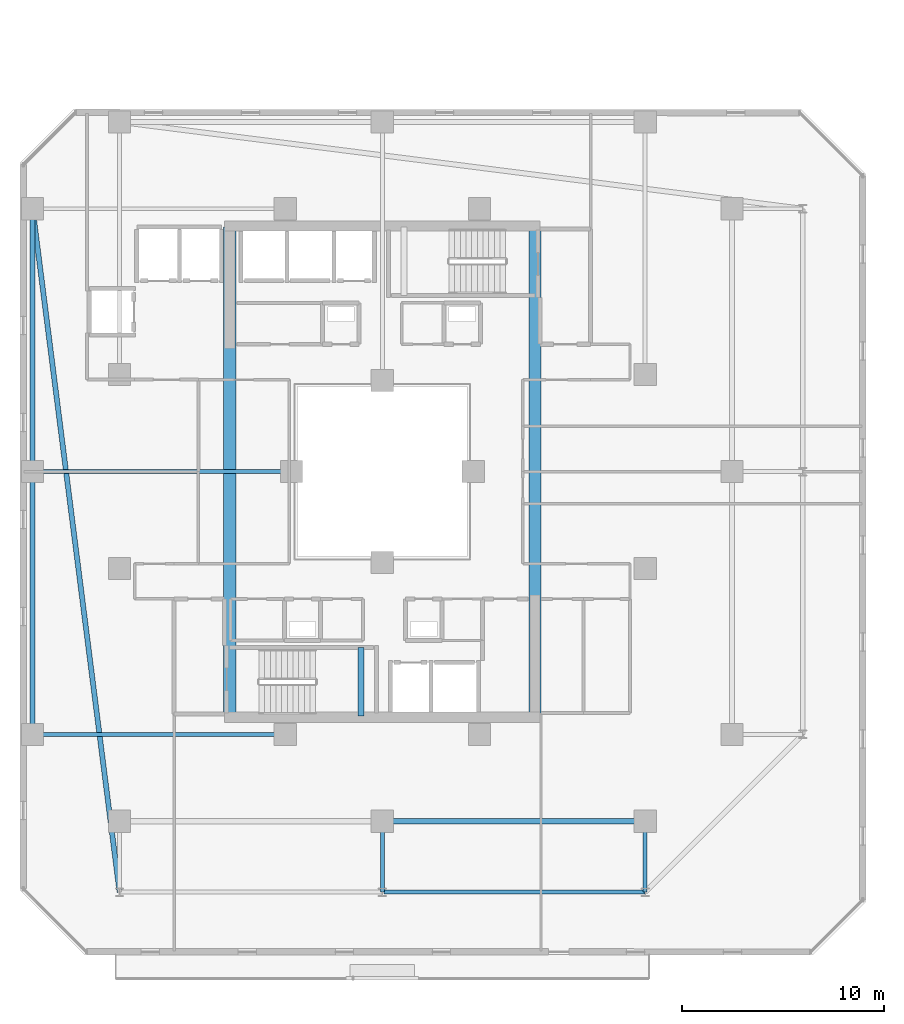
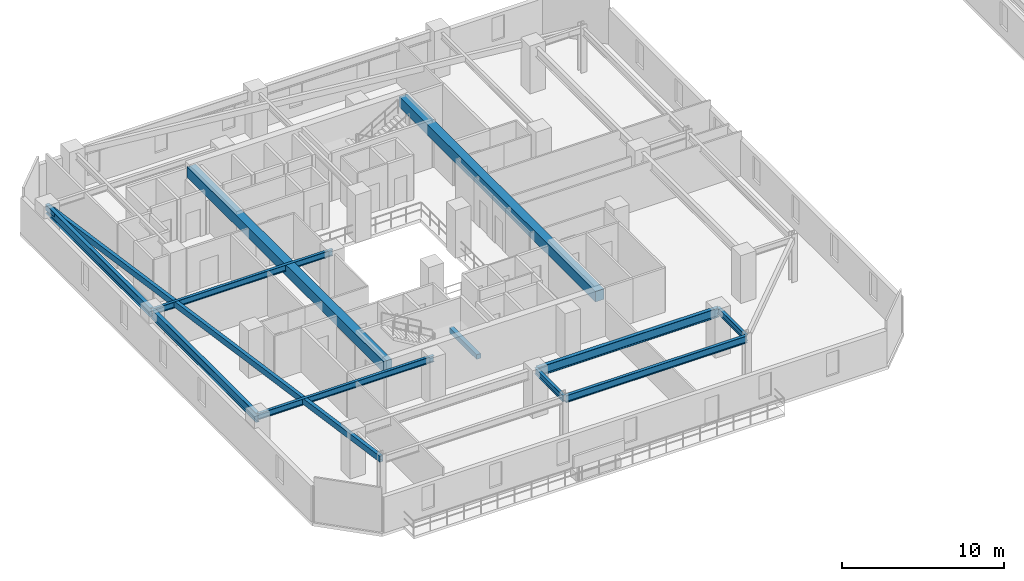
# One storey, part 4 of 33: 12 beams.
"""IFC4 building model written with IfcOpenShell, lengths in metres."""

from ifc_helpers import new_model, si_unit, direction, frame, origin, origin_2d, place, context, subcontext, project, spatial, rectangle, hollow_rectangle, i_section, extrude, material, material_profile, profile_set, type_object, element, save


model = new_model("IFC4")

# Units and contexts
model_context = context("Model", 3, precision=1e-05, world=origin(), true_north=direction((0.0, 1.0)))
body_context = subcontext(model_context, "Body", "Model", "MODEL_VIEW")
ifc_project = project(units=[si_unit("LENGTHUNIT", "METRE"), si_unit("AREAUNIT", "SQUARE_METRE"), si_unit("VOLUMEUNIT", "CUBIC_METRE"), si_unit("PLANEANGLEUNIT", "RADIAN"), si_unit("MASSUNIT", "GRAM", prefix="KILO")], contexts=[model_context])

# Site, building, storey
site_placement = place(None, origin())
site = spatial("IfcSite", under=ifc_project, at=site_placement, CompositionType="ELEMENT")
building_placement = place(site_placement, origin())
building = spatial("IfcBuilding", under=site, at=building_placement, Name="Thornwick Lancets Civic Towers", CompositionType="ELEMENT")
storey_placement = place(building_placement, frame((0.0, 0.0, 163.5)))
storey = spatial("IfcBuildingStorey", under=building, at=storey_placement, Name="L43", CompositionType="ELEMENT", Elevation=163.5)

# Beams
ifc_material_1 = material(Name="Concrete C60/75", Category="concrete")
ifc_material_profile_1 = material_profile(ifc_material_1, rectangle(XDim=0.60009765625, YDim=0.800048828125, at=origin_2d()), Name="RC 600x800")
ifc_profile_set_1 = profile_set([ifc_material_profile_1], Name="Concrete C60/75")
beam_type_1 = type_object("IfcBeamType", Name="BM_COUP_RC800", PredefinedType="BEAM", material=ifc_profile_set_1)
for number, where, z_axis, x_axis, name in (
    (1, (33.050048828125, 14.89990234375, 2.9599609375), (0.0, 1.0, 0.0), (-1.0, 0.0, 0.0), "CB-L43-A1"),
    (2, (17.949951171875, 14.89990234375, 2.9599609375), (0.0, 1.0, 0.0), (-1.0, 0.0, 0.0), "CB-L43-A2"),
):
    element("IfcBeam", number, at=place(storey_placement, frame(where, z_axis=z_axis, x_axis=x_axis)), inside=storey, type_object=beam_type_1, Name=name, PredefinedType="BEAM", context=body_context, shape_type="SweptSolid", body=[
        extrude(rectangle(XDim=0.60009765625, YDim=0.800048828125, at=origin_2d()), origin(), (0.0, 0.0, 1.0), 24.2001953125),
    ])
ifc_material_2 = material(Name="Steel S355JR", Category="steel")
ifc_material_profile_2 = material_profile(ifc_material_2, i_section(OverallWidth=0.210693359375, OverallDepth=0.53955078125, WebThickness=0.01171875, FlangeThickness=0.018798828125, FilletRadius=0.0126953125, at=origin_2d()), Name="UKB 533x210x109")
ifc_profile_set_2 = profile_set([ifc_material_profile_2], Name="Steel S355JR")
beam_type_2 = type_object("IfcBeamType", Name="BM_EDGE_533_109", PredefinedType="SPANDREL", material=ifc_profile_set_2)
beam_1_placement = place(storey_placement, frame((25.580078125, 6.199951171875, 3.09033203125), z_axis=(1.0, 0.0, 0.0), x_axis=(0.0, 1.0, 0.0)))
element("IfcBeam", 3, at=beam_1_placement, inside=storey, type_object=beam_type_2, Name="BM-EDGE-L43-A-S0-2", PredefinedType="SPANDREL", context=body_context, shape_type="SweptSolid", body=[
    extrude(i_section(OverallWidth=0.210693359375, OverallDepth=0.53955078125, WebThickness=0.01171875, FlangeThickness=0.018798828125, FilletRadius=0.0126953125, at=origin_2d()), origin(), (0.0, 0.0, 1.0), 12.919921875),
])
ifc_material_profile_3 = material_profile(ifc_material_2, i_section(OverallWidth=0.255859375, OverallDepth=0.69287109375, WebThickness=0.014404296875, FlangeThickness=0.023681640625, FilletRadius=0.01513671875, at=origin_2d()), Name="UKB 686x254x170")
ifc_profile_set_3 = profile_set([ifc_material_profile_3], Name="Steel S355JR")
beam_type_3 = type_object("IfcBeamType", Name="BM_GIRD_686_170", PredefinedType="BEAM", material=ifc_profile_set_3)
beam_2_placement = place(storey_placement, frame((25.580078125, 9.699951171875, 3.013671875), z_axis=(1.0, 0.0, 0.0), x_axis=(0.0, 1.0, 0.0)))
element("IfcBeam", 4, at=beam_2_placement, inside=storey, type_object=beam_type_3, Name="BM-SPINE-L43-A-1-2", PredefinedType="BEAM", context=body_context, shape_type="SweptSolid", body=[
    extrude(i_section(OverallWidth=0.255859375, OverallDepth=0.69287109375, WebThickness=0.014404296875, FlangeThickness=0.023681640625, FilletRadius=0.01513671875, at=origin_2d()), origin(), (0.0, 0.0, 1.0), 12.919921875),
])
beam_3_placement = place(storey_placement, frame((8.199951171875, 14.0, 3.013671875), z_axis=(0.0, 1.0, 0.0), x_axis=(-1.0, 0.0, 0.0)))
element("IfcBeam", 5, at=beam_3_placement, inside=storey, type_object=beam_type_3, Name="BM-SPINE-L43-A-9-10", PredefinedType="BEAM", context=body_context, shape_type="SweptSolid", body=[
    extrude(i_section(OverallWidth=0.255859375, OverallDepth=0.69287109375, WebThickness=0.014404296875, FlangeThickness=0.023681640625, FilletRadius=0.01513671875, at=origin_2d()), origin(), (0.0, 0.0, 1.0), 13.0),
])
beam_4_placement = place(storey_placement, frame((8.199951171875, 27.080078125, 3.013671875), z_axis=(0.0, 1.0, 0.0), x_axis=(-1.0, 0.0, 0.0)))
element("IfcBeam", 6, at=beam_4_placement, inside=storey, type_object=beam_type_3, Name="BM-SPINE-L43-A-10-11", PredefinedType="BEAM", context=body_context, shape_type="SweptSolid", body=[
    extrude(i_section(OverallWidth=0.255859375, OverallDepth=0.69287109375, WebThickness=0.014404296875, FlangeThickness=0.023681640625, FilletRadius=0.01513671875, at=origin_2d()), origin(), (0.0, 0.0, 1.0), 12.919921875),
])
ifc_material_profile_4 = material_profile(ifc_material_2, i_section(OverallWidth=0.19287109375, OverallDepth=0.46728515625, WebThickness=0.011474609375, FlangeThickness=0.01953125, FilletRadius=0.01025390625, at=origin_2d()), Name="UKB 457x191x98")
ifc_profile_set_4 = profile_set([ifc_material_profile_4], Name="Steel S355JR")
beam_type_4 = type_object("IfcBeamType", Name="BM_JOIST_457_98", PredefinedType="JOIST", material=ifc_profile_set_4)
for number, where, z_axis, x_axis, name in (
    (7, (25.5, 9.699951171875, 3.12646484375), (0.0, -1.0, 0.0), (1.0, 0.0, 0.0), "BM-RAD-L43-A02"),
    (8, (38.5, 9.699951171875, 3.12646484375), (0.0, -1.0, 0.0), (1.0, 0.0, 0.0), "BM-RAD-L43-A03"),
):
    element("IfcBeam", number, at=place(storey_placement, frame(where, z_axis=z_axis, x_axis=x_axis)), inside=storey, type_object=beam_type_4, Name=name, PredefinedType="JOIST", context=body_context, shape_type="SweptSolid", body=[
        extrude(i_section(OverallWidth=0.19287109375, OverallDepth=0.46728515625, WebThickness=0.011474609375, FlangeThickness=0.01953125, FilletRadius=0.01025390625, at=origin_2d()), origin(), (0.0, 0.0, 1.0), 3.5),
    ])
beam_5_placement = place(storey_placement, frame((20.699951171875, 14.0, 3.12646484375), z_axis=(-1.0, 0.0, 0.0), x_axis=(0.0, -1.0, 0.0)))
element("IfcBeam", 9, at=beam_5_placement, inside=storey, type_object=beam_type_4, Name="BM-RADIN-L43-A10", PredefinedType="JOIST", context=body_context, shape_type="SweptSolid", body=[
    extrude(i_section(OverallWidth=0.19287109375, OverallDepth=0.46728515625, WebThickness=0.011474609375, FlangeThickness=0.01953125, FilletRadius=0.01025390625, at=origin_2d()), origin(), (0.0, 0.0, 1.0), 12.5),
])
beam_6_placement = place(storey_placement, frame((21.0, 27.0, 3.12646484375), z_axis=(-1.0, 0.0, 0.0), x_axis=(0.0, -1.0, 0.0)))
element("IfcBeam", 10, at=beam_6_placement, inside=storey, type_object=beam_type_4, Name="BM-RADIN-L43-A11", PredefinedType="JOIST", context=body_context, shape_type="SweptSolid", body=[
    extrude(i_section(OverallWidth=0.19287109375, OverallDepth=0.46728515625, WebThickness=0.011474609375, FlangeThickness=0.01953125, FilletRadius=0.01025390625, at=origin_2d()), origin(), (0.0, 0.0, 1.0), 12.800048828125),
])
ifc_material_profile_5 = material_profile(ifc_material_2, hollow_rectangle(XDim=0.25, YDim=0.449951171875, WallThickness=0.01611328125, at=origin_2d()), Name="RHS 450x250x16")
ifc_profile_set_5 = profile_set([ifc_material_profile_5], Name="Steel S355JR")
beam_type_5 = type_object("IfcBeamType", Name="BM_RING_RHS450", PredefinedType="BEAM", material=ifc_profile_set_5)
beam_7_placement = place(storey_placement, frame((8.199951171875, 40.0, 3.135009765625), z_axis=(0.126202998662, -0.992004437051, 0.0), x_axis=(0.992004437051, 0.126202998662, 0.0)))
element("IfcBeam", 11, at=beam_7_placement, inside=storey, type_object=beam_type_5, Name="BM-CHAMF-L43-A-C3", PredefinedType="BEAM", context=body_context, shape_type="SweptSolid", body=[
    extrude(hollow_rectangle(XDim=0.25, YDim=0.449951171875, WallThickness=0.01611328125, at=origin_2d()), origin(), (0.0, 0.0, 1.0), 34.072509765625),
])
ifc_material_3 = material(Name="Concrete C40/50", Category="concrete")
ifc_material_profile_6 = material_profile(ifc_material_3, rectangle(XDim=0.300048828125, YDim=0.35009765625, at=origin_2d()), Name="RC 300x350")
ifc_profile_set_6 = profile_set([ifc_material_profile_6], Name="Concrete C40/50")
beam_type_6 = type_object("IfcBeamType", Name="BM_STAIR_LDG", PredefinedType="BEAM", material=ifc_profile_set_6)
beam_8_placement = place(storey_placement, frame((24.43505859375, 14.89990234375, 1.3779296875), z_axis=(0.0, 1.0, 0.0), x_axis=(-1.0, 0.0, 0.0)))
element("IfcBeam", 12, at=beam_8_placement, inside=storey, type_object=beam_type_6, Name="L43 ST-A1 Landing Support Beam 1", PredefinedType="BEAM", context=body_context, shape_type="SweptSolid", body=[
    extrude(rectangle(XDim=0.300048828125, YDim=0.35009765625, at=origin_2d()), origin(), (0.0, 0.0, 1.0), 3.400146484375),
])

save(model, "model.ifc")
